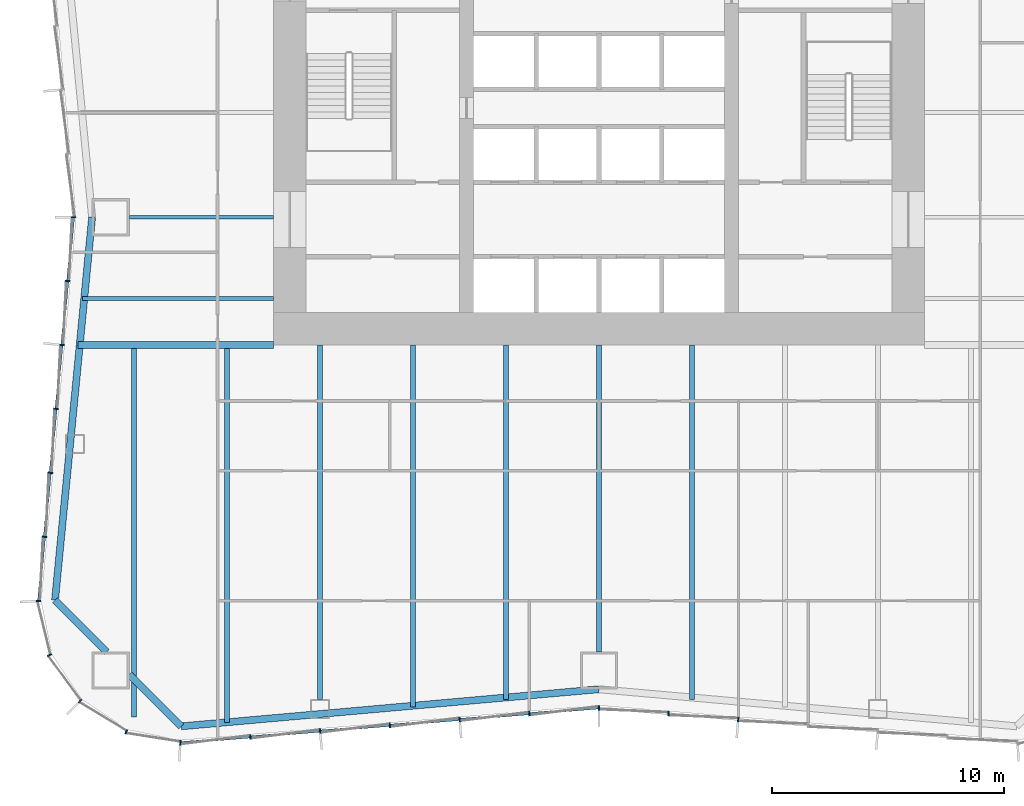
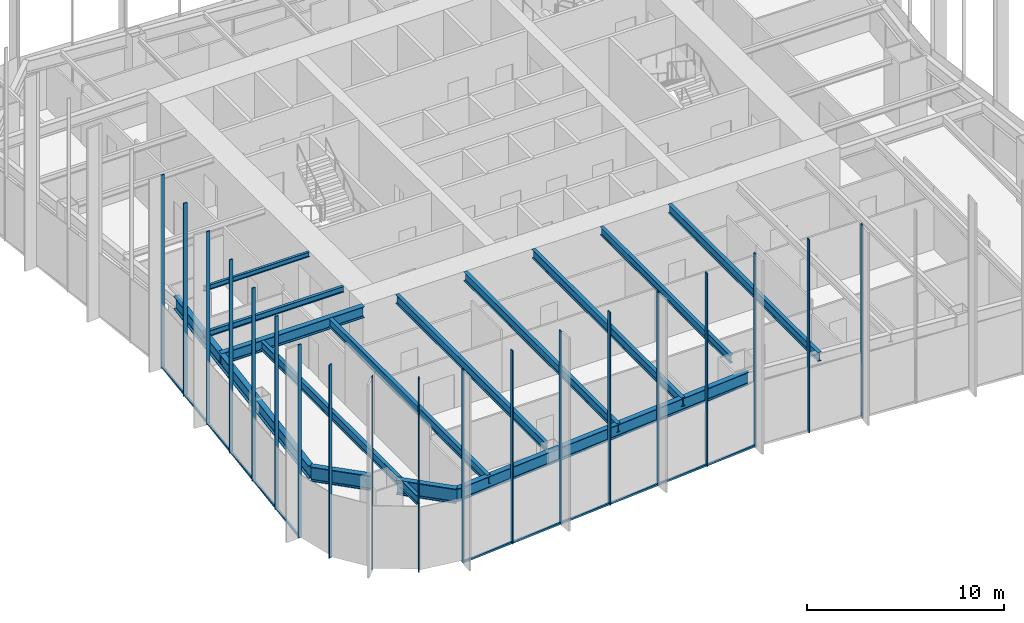
# One storey, part 2 of 13: 21 members, 14 beams, 3 elements without a shape of their own.
"""IFC4 building model written with IfcOpenShell, lengths in metres."""

from ifc_helpers import new_model, si_unit, direction, frame, origin, origin_2d, place, context, subcontext, project, spatial, rectangle, i_section, extrude, material, material_profile, profile_set, type_object, element, aggregate, save


model = new_model("IFC4")

# Units and contexts
model_context = context("Model", 3, precision=1e-05, world=origin(), true_north=direction((0.0, 1.0)))
body_context = subcontext(model_context, "Body", "Model", "MODEL_VIEW")
ifc_project = project(units=[si_unit("LENGTHUNIT", "METRE"), si_unit("AREAUNIT", "SQUARE_METRE"), si_unit("VOLUMEUNIT", "CUBIC_METRE"), si_unit("PLANEANGLEUNIT", "RADIAN"), si_unit("MASSUNIT", "GRAM", prefix="KILO")], contexts=[model_context])

# Site, building, storey
site_placement = place(None, origin())
site = spatial("IfcSite", under=ifc_project, at=site_placement, CompositionType="ELEMENT")
building_placement = place(site_placement, origin())
building = spatial("IfcBuilding", under=site, at=building_placement, Name="Verdant Reach Tower", CompositionType="ELEMENT")
storey_placement = place(building_placement, frame((0.0, 0.0, 14.0)))
storey = spatial("IfcBuildingStorey", under=building, at=storey_placement, Name="L02", CompositionType="ELEMENT", Elevation=14.0)

# Curtain wall, members
ifc_material_1 = material(Name="Anodised aluminium", Category="aluminium")
curtain_wall_type = type_object("IfcCurtainWallType", Name="EN-CW SYSTEM Z0", PredefinedType="NOTDEFINED", material=ifc_material_1)
curtain_wall_1_placement = place(storey_placement, origin())
curtain_wall_1 = element("IfcCurtainWall", 1, at=curtain_wall_1_placement, inside=storey, type_object=curtain_wall_type, Name="Curtain wall west, L02", PredefinedType="NOTDEFINED")
ifc_material_profile_1 = material_profile(ifc_material_1, rectangle(XDim=0.199951171875, YDim=0.06005859375, at=origin_2d()), Name="Mullion 60x200")
ifc_profile_set_1 = profile_set([ifc_material_profile_1], Name="Anodised aluminium")
member_type_1 = type_object("IfcMemberType", Name="EN-MULLION Z0", PredefinedType="MULLION", material=ifc_profile_set_1)
member_1_placement = place(storey_placement, frame((-22.60009765625, 22.5, -0.35009765625), z_axis=(0.0, 0.0, 1.0), x_axis=(-1.0, 0.0, 0.0)))
member_1 = element("IfcMember", 2, at=member_1_placement, type_object=member_type_1, Name="Mullion west face part 2 1, L02", PredefinedType="MULLION", context=body_context, shape_type="SweptSolid", body=[
    extrude(rectangle(XDim=0.199951171875, YDim=0.06005859375, at=origin_2d()), origin(), (0.0, 0.0, 1.0), 12.0),
])
member_2_placement = place(storey_placement, frame((-22.849609375, 19.759033203125, -0.35009765625), z_axis=(0.0, 0.0, 1.0), x_axis=(-0.995893206467, 0.090535746047, 0.0)))
member_2 = element("IfcMember", 3, at=member_2_placement, type_object=member_type_1, Name="Mullion west face part 2 2, L02", PredefinedType="MULLION", context=body_context, shape_type="SweptSolid", body=[
    extrude(rectangle(XDim=0.199951171875, YDim=0.06005859375, at=origin_2d()), origin(), (0.0, 0.0, 1.0), 12.0),
])
member_3_placement = place(storey_placement, frame((-23.099609375, 17.009033203125, -0.35009765625), z_axis=(0.0, 0.0, 1.0), x_axis=(-0.995893206467, 0.090535746047, 0.0)))
member_3 = element("IfcMember", 4, at=member_3_placement, type_object=member_type_1, Name="Mullion west face part 2 3, L02", PredefinedType="MULLION", context=body_context, shape_type="SweptSolid", body=[
    extrude(rectangle(XDim=0.199951171875, YDim=0.06005859375, at=origin_2d()), origin(), (0.0, 0.0, 1.0), 12.0),
])
member_4_placement = place(storey_placement, frame((-23.349609375, 14.259033203125, -0.35009765625), z_axis=(0.0, 0.0, 1.0), x_axis=(-0.995893206467, 0.090535746047, 0.0)))
member_4 = element("IfcMember", 5, at=member_4_placement, type_object=member_type_1, Name="Mullion west face part 2 4, L02", PredefinedType="MULLION", context=body_context, shape_type="SweptSolid", body=[
    extrude(rectangle(XDim=0.199951171875, YDim=0.06005859375, at=origin_2d()), origin(), (0.0, 0.0, 1.0), 12.0),
])
member_5_placement = place(storey_placement, frame((-23.599609375, 11.509033203125, -0.35009765625), z_axis=(0.0, 0.0, 1.0), x_axis=(-0.995893206467, 0.090535746047, 0.0)))
member_5 = element("IfcMember", 6, at=member_5_placement, type_object=member_type_1, Name="Mullion west face part 2 5, L02", PredefinedType="MULLION", context=body_context, shape_type="SweptSolid", body=[
    extrude(rectangle(XDim=0.199951171875, YDim=0.06005859375, at=origin_2d()), origin(), (0.0, 0.0, 1.0), 12.0),
])
member_6_placement = place(storey_placement, frame((-23.849609375, 8.759033203125, -0.35009765625), z_axis=(0.0, 0.0, 1.0), x_axis=(-0.995893206467, 0.090535746047, 0.0)))
member_6 = element("IfcMember", 7, at=member_6_placement, type_object=member_type_1, Name="Mullion west face part 2 6, L02", PredefinedType="MULLION", context=body_context, shape_type="SweptSolid", body=[
    extrude(rectangle(XDim=0.199951171875, YDim=0.06005859375, at=origin_2d()), origin(), (0.0, 0.0, 1.0), 12.0),
])

curtain_wall_2_placement = place(storey_placement, origin())
curtain_wall_2 = element("IfcCurtainWall", 8, at=curtain_wall_2_placement, inside=storey, type_object=curtain_wall_type, Name="Curtain wall south-west corner, L02", PredefinedType="NOTDEFINED")
member_7_placement = place(storey_placement, frame((-24.099853515625, 5.99462890625, -0.35009765625), z_axis=(0.0, 0.0, 1.0), x_axis=(-0.998604288049, -0.052815489107, 0.0)))
member_7 = element("IfcMember", 9, at=member_7_placement, type_object=member_type_1, Name="Mullion south-west corner 1, L02", PredefinedType="MULLION", context=body_context, shape_type="SweptSolid", body=[
    extrude(rectangle(XDim=0.199951171875, YDim=0.06005859375, at=origin_2d()), origin(), (0.0, 0.0, 1.0), 12.0),
])
member_8_placement = place(storey_placement, frame((-23.6357421875, 3.66552734375, -0.35009765625), z_axis=(0.0, 0.0, 1.0), x_axis=(-0.923875215753, -0.382693853776, 0.0)))
member_8 = element("IfcMember", 10, at=member_8_placement, type_object=member_type_1, Name="Mullion south-west corner 2, L02", PredefinedType="MULLION", context=body_context, shape_type="SweptSolid", body=[
    extrude(rectangle(XDim=0.199951171875, YDim=0.06005859375, at=origin_2d()), origin(), (0.0, 0.0, 1.0), 12.0),
])
member_9_placement = place(storey_placement, frame((-22.313232421875, 1.686767578125, -0.35009765625), z_axis=(0.0, 0.0, 1.0), x_axis=(-0.707106781187, -0.707106781187, 0.0)))
member_9 = element("IfcMember", 11, at=member_9_placement, type_object=member_type_1, Name="Mullion south-west corner 3, L02", PredefinedType="MULLION", context=body_context, shape_type="SweptSolid", body=[
    extrude(rectangle(XDim=0.199951171875, YDim=0.06005859375, at=origin_2d()), origin(), (0.0, 0.0, 1.0), 12.0),
])
member_10_placement = place(storey_placement, frame((-20.33447265625, 0.3642578125, -0.35009765625), z_axis=(0.0, 0.0, 1.0), x_axis=(-0.382693853776, -0.923875215753, 0.0)))
member_10 = element("IfcMember", 12, at=member_10_placement, type_object=member_type_1, Name="Mullion south-west corner 4, L02", PredefinedType="MULLION", context=body_context, shape_type="SweptSolid", body=[
    extrude(rectangle(XDim=0.199951171875, YDim=0.06005859375, at=origin_2d()), origin(), (0.0, 0.0, 1.0), 12.0),
])
aggregate(curtain_wall_2, [member_7, member_8, member_9, member_10])

curtain_wall_3_placement = place(storey_placement, origin())
curtain_wall_3 = element("IfcCurtainWall", 13, at=curtain_wall_3_placement, inside=storey, type_object=curtain_wall_type, Name="Curtain wall south, L02", PredefinedType="NOTDEFINED")
member_11_placement = place(storey_placement, frame((-18.005615234375, -0.099853515625, -0.35009765625), z_axis=(0.0, 0.0, 1.0), x_axis=(-0.056569187765, -0.998398681387, 0.0)))
member_11 = element("IfcMember", 14, at=member_11_placement, type_object=member_type_1, Name="Mullion south face part 1 1, L02", PredefinedType="MULLION", context=body_context, shape_type="SweptSolid", body=[
    extrude(rectangle(XDim=0.199951171875, YDim=0.06005859375, at=origin_2d()), origin(), (0.0, 0.0, 1.0), 12.0),
])
member_12_placement = place(storey_placement, frame((-14.99169921875, 0.150390625, -0.35009765625), z_axis=(0.0, 0.0, 1.0), x_axis=(0.083045479859, -0.996545758244, 0.0)))
member_12 = element("IfcMember", 15, at=member_12_placement, type_object=member_type_1, Name="Mullion south face part 1 2, L02", PredefinedType="MULLION", context=body_context, shape_type="SweptSolid", body=[
    extrude(rectangle(XDim=0.199951171875, YDim=0.06005859375, at=origin_2d()), origin(), (0.0, 0.0, 1.0), 12.0),
])
member_13_placement = place(storey_placement, frame((-11.99169921875, 0.400390625, -0.35009765625), z_axis=(0.0, 0.0, 1.0), x_axis=(0.083045479859, -0.996545758244, 0.0)))
member_13 = element("IfcMember", 16, at=member_13_placement, type_object=member_type_1, Name="Mullion south face part 1 3, L02", PredefinedType="MULLION", context=body_context, shape_type="SweptSolid", body=[
    extrude(rectangle(XDim=0.199951171875, YDim=0.06005859375, at=origin_2d()), origin(), (0.0, 0.0, 1.0), 12.0),
])
member_14_placement = place(storey_placement, frame((-8.99169921875, 0.650390625, -0.35009765625), z_axis=(0.0, 0.0, 1.0), x_axis=(0.083045479859, -0.996545758244, 0.0)))
member_14 = element("IfcMember", 17, at=member_14_placement, type_object=member_type_1, Name="Mullion south face part 1 4, L02", PredefinedType="MULLION", context=body_context, shape_type="SweptSolid", body=[
    extrude(rectangle(XDim=0.199951171875, YDim=0.06005859375, at=origin_2d()), origin(), (0.0, 0.0, 1.0), 12.0),
])
member_15_placement = place(storey_placement, frame((-5.99169921875, 0.900390625, -0.35009765625), z_axis=(0.0, 0.0, 1.0), x_axis=(0.083045479859, -0.996545758244, 0.0)))
member_15 = element("IfcMember", 18, at=member_15_placement, type_object=member_type_1, Name="Mullion south face part 1 5, L02", PredefinedType="MULLION", context=body_context, shape_type="SweptSolid", body=[
    extrude(rectangle(XDim=0.199951171875, YDim=0.06005859375, at=origin_2d()), origin(), (0.0, 0.0, 1.0), 12.0),
])
member_16_placement = place(storey_placement, frame((-2.99169921875, 1.150390625, -0.35009765625), z_axis=(0.0, 0.0, 1.0), x_axis=(0.083045479859, -0.996545758244, 0.0)))
member_16 = element("IfcMember", 19, at=member_16_placement, type_object=member_type_1, Name="Mullion south face part 1 6, L02", PredefinedType="MULLION", context=body_context, shape_type="SweptSolid", body=[
    extrude(rectangle(XDim=0.199951171875, YDim=0.06005859375, at=origin_2d()), origin(), (0.0, 0.0, 1.0), 12.0),
])
member_17_placement = place(storey_placement, frame((0.0, 1.39990234375, -0.35009765625), z_axis=(0.0, 0.0, 1.0), x_axis=(0.0, -1.0, 0.0)))
member_17 = element("IfcMember", 20, at=member_17_placement, type_object=member_type_1, Name="Mullion south face part 2 1, L02", PredefinedType="MULLION", context=body_context, shape_type="SweptSolid", body=[
    extrude(rectangle(XDim=0.199951171875, YDim=0.06005859375, at=origin_2d()), origin(), (0.0, 0.0, 1.0), 12.0),
])
member_18_placement = place(storey_placement, frame((2.99169921875, 1.150390625, -0.35009765625), z_axis=(0.0, 0.0, 1.0), x_axis=(-0.083045479859, -0.996545758244, 0.0)))
member_18 = element("IfcMember", 21, at=member_18_placement, type_object=member_type_1, Name="Mullion south face part 2 2, L02", PredefinedType="MULLION", context=body_context, shape_type="SweptSolid", body=[
    extrude(rectangle(XDim=0.199951171875, YDim=0.06005859375, at=origin_2d()), origin(), (0.0, 0.0, 1.0), 12.0),
])
member_19_placement = place(storey_placement, frame((5.99169921875, 0.900390625, -0.35009765625), z_axis=(0.0, 0.0, 1.0), x_axis=(-0.083045479859, -0.996545758244, 0.0)))
member_19 = element("IfcMember", 22, at=member_19_placement, type_object=member_type_1, Name="Mullion south face part 2 3, L02", PredefinedType="MULLION", context=body_context, shape_type="SweptSolid", body=[
    extrude(rectangle(XDim=0.199951171875, YDim=0.06005859375, at=origin_2d()), origin(), (0.0, 0.0, 1.0), 12.0),
])

# Member
ifc_material_profile_2 = material_profile(ifc_material_1, rectangle(XDim=0.10009765625, YDim=0.1201171875, at=origin_2d()), Name="Transom 120x100")
ifc_profile_set_2 = profile_set([ifc_material_profile_2], Name="Anodised aluminium")
member_type_2 = type_object("IfcMemberType", Name="EN-TRANSOM Z0", PredefinedType="USERDEFINED", material=ifc_profile_set_2)
member_20_placement = place(storey_placement, frame((-22.602783203125, 22.47021484375, -0.2900390625), z_axis=(-0.090495755184, -0.995896841191, 0.0), x_axis=(0.995896841191, -0.090495755184, 0.0)))
member_20 = element("IfcMember", 23, at=member_20_placement, type_object=member_type_2, Name="Transom west face part 2 1.1, L02", ObjectType="TRANSOM", PredefinedType="USERDEFINED", context=body_context, shape_type="SweptSolid", body=[
    extrude(rectangle(XDim=0.10009765625, YDim=0.1201171875, at=origin_2d()), origin(), (0.0, 0.0, 1.0), 16.513427734375),
])

aggregate(curtain_wall_1, [member_1, member_2, member_3, member_4, member_5, member_6, member_20])

member_21_placement = place(storey_placement, frame((-17.975830078125, -0.097412109375, -0.2900390625), z_axis=(0.996548656072, 0.083010698588, 0.0), x_axis=(-0.083010698588, 0.996548656072, 0.0)))
member_21 = element("IfcMember", 24, at=member_21_placement, type_object=member_type_2, Name="Transom south face part 1 1.1, L02", ObjectType="TRANSOM", PredefinedType="USERDEFINED", context=body_context, shape_type="SweptSolid", body=[
    extrude(rectangle(XDim=0.10009765625, YDim=0.1201171875, at=origin_2d()), origin(), (0.0, 0.0, 1.0), 18.00830078125),
])

aggregate(curtain_wall_3, [member_11, member_12, member_13, member_14, member_15, member_16, member_21, member_17, member_18, member_19])

# Beams
ifc_material_2 = material(Name="Steel S355", Category="steel")
ifc_material_profile_3 = material_profile(ifc_material_2, i_section(OverallWidth=0.300048828125, OverallDepth=0.699951171875, WebThickness=0.01708984375, FlangeThickness=0.031982421875, FilletRadius=0.027099609375, at=origin_2d()), Name="HEB 700")
ifc_profile_set_3 = profile_set([ifc_material_profile_3], Name="Steel S355")
beam_type_1 = type_object("IfcBeamType", Name="ST-BEAM-HEB700", PredefinedType="BEAM", material=ifc_profile_set_3)
beam_1_placement = place(storey_placement, frame((-14.0, 17.0, 3.52001953125), z_axis=(-1.0, 0.0, 0.0), x_axis=(0.0, -1.0, 0.0)))
element("IfcBeam", 25, at=beam_1_placement, inside=storey, type_object=beam_type_1, Name="Trimmer beam, L02", PredefinedType="BEAM", context=body_context, shape_type="SweptSolid", body=[
    extrude(i_section(OverallWidth=0.300048828125, OverallDepth=0.699951171875, WebThickness=0.01708984375, FlangeThickness=0.031982421875, FilletRadius=0.027099609375, at=origin_2d()), origin(), (0.0, 0.0, 1.0), 8.3974609375),
])
ifc_material_profile_4 = material_profile(ifc_material_2, i_section(OverallWidth=0.14990234375, OverallDepth=0.300048828125, WebThickness=0.007080078125, FlangeThickness=0.0107421875, FilletRadius=0.014892578125, at=origin_2d()), Name="IPE 300")
ifc_profile_set_4 = profile_set([ifc_material_profile_4], Name="Steel S355")
beam_type_2 = type_object("IfcBeamType", Name="ST-JOIST-IPE300", PredefinedType="JOIST", material=ifc_profile_set_4)
beam_2_placement = place(storey_placement, frame((-14.0, 22.5, 3.719970703125), z_axis=(-1.0, 0.0, 0.0), x_axis=(0.0, -1.0, 0.0)))
element("IfcBeam", 26, at=beam_2_placement, inside=storey, type_object=beam_type_2, Name="Floor joist, L02", PredefinedType="JOIST", context=body_context, shape_type="SweptSolid", body=[
    extrude(i_section(OverallWidth=0.14990234375, OverallDepth=0.300048828125, WebThickness=0.007080078125, FlangeThickness=0.0107421875, FilletRadius=0.014892578125, at=origin_2d()), origin(), (0.0, 0.0, 1.0), 6.199951171875),
])
ifc_material_profile_5 = material_profile(ifc_material_2, i_section(OverallWidth=0.169921875, OverallDepth=0.360107421875, WebThickness=0.008056640625, FlangeThickness=0.0126953125, FilletRadius=0.01806640625, at=origin_2d()), Name="IPE 360")
ifc_profile_set_5 = profile_set([ifc_material_profile_5], Name="Steel S355")
beam_type_3 = type_object("IfcBeamType", Name="ST-JOIST-IPE360", PredefinedType="JOIST", material=ifc_profile_set_5)
beam_3_placement = place(storey_placement, frame((-14.0, 19.0, 3.68994140625), z_axis=(-1.0, 0.0, 0.0), x_axis=(0.0, -1.0, 0.0)))
element("IfcBeam", 27, at=beam_3_placement, inside=storey, type_object=beam_type_3, Name="Floor joist, L02", PredefinedType="JOIST", context=body_context, shape_type="SweptSolid", body=[
    extrude(i_section(OverallWidth=0.169921875, OverallDepth=0.360107421875, WebThickness=0.008056640625, FlangeThickness=0.0126953125, FilletRadius=0.01806640625, at=origin_2d()), origin(), (0.0, 0.0, 1.0), 8.2158203125),
])
ifc_material_profile_6 = material_profile(ifc_material_2, i_section(OverallWidth=0.199951171875, OverallDepth=0.5, WebThickness=0.01025390625, FlangeThickness=0.01611328125, FilletRadius=0.02099609375, at=origin_2d()), Name="IPE 500")
ifc_profile_set_6 = profile_set([ifc_material_profile_6], Name="Steel S355")
beam_type_4 = type_object("IfcBeamType", Name="ST-JOIST-IPE500", PredefinedType="JOIST", material=ifc_profile_set_6)
beam_4_placement = place(storey_placement, frame((0.0, 17.0, 3.6201171875), z_axis=(0.0, -1.0, 0.0), x_axis=(1.0, 0.0, 0.0)))
element("IfcBeam", 28, at=beam_4_placement, inside=storey, type_object=beam_type_4, Name="Floor joist, L02", PredefinedType="JOIST", context=body_context, shape_type="SweptSolid", body=[
    extrude(i_section(OverallWidth=0.199951171875, OverallDepth=0.5, WebThickness=0.01025390625, FlangeThickness=0.01611328125, FilletRadius=0.02099609375, at=origin_2d()), origin(), (0.0, 0.0, 1.0), 13.199951171875),
])
ifc_material_profile_7 = material_profile(ifc_material_2, i_section(OverallWidth=0.2099609375, OverallDepth=0.550048828125, WebThickness=0.010986328125, FlangeThickness=0.01708984375, FilletRadius=0.02392578125, at=origin_2d()), Name="IPE 550")
ifc_profile_set_7 = profile_set([ifc_material_profile_7], Name="Steel S355")
beam_type_5 = type_object("IfcBeamType", Name="ST-JOIST-IPE550", PredefinedType="JOIST", material=ifc_profile_set_7)
beam_5_placement = place(storey_placement, frame((-20.0, 16.89990234375, 3.594970703125), z_axis=(0.0, -1.0, 0.0), x_axis=(1.0, 0.0, 0.0)))
element("IfcBeam", 29, at=beam_5_placement, inside=storey, type_object=beam_type_5, Name="Floor joist, L02", PredefinedType="JOIST", context=body_context, shape_type="SweptSolid", body=[
    extrude(i_section(OverallWidth=0.2099609375, OverallDepth=0.550048828125, WebThickness=0.010986328125, FlangeThickness=0.01708984375, FilletRadius=0.02392578125, at=origin_2d()), origin(), (0.0, 0.0, 1.0), 15.890380859375),
])
beam_6_placement = place(storey_placement, frame((-16.0, 16.89990234375, 3.594970703125), z_axis=(0.0, -1.0, 0.0), x_axis=(1.0, 0.0, 0.0)))
element("IfcBeam", 30, at=beam_6_placement, inside=storey, type_object=beam_type_5, Name="Floor joist, L02", PredefinedType="JOIST", context=body_context, shape_type="SweptSolid", body=[
    extrude(i_section(OverallWidth=0.2099609375, OverallDepth=0.550048828125, WebThickness=0.010986328125, FlangeThickness=0.01708984375, FilletRadius=0.02392578125, at=origin_2d()), origin(), (0.0, 0.0, 1.0), 16.131103515625),
])
beam_7_placement = place(storey_placement, frame((-12.0, 17.0, 3.594970703125), z_axis=(0.0, -1.0, 0.0), x_axis=(1.0, 0.0, 0.0)))
element("IfcBeam", 31, at=beam_7_placement, inside=storey, type_object=beam_type_5, Name="Floor joist, L02", PredefinedType="JOIST", context=body_context, shape_type="SweptSolid", body=[
    extrude(i_section(OverallWidth=0.2099609375, OverallDepth=0.550048828125, WebThickness=0.010986328125, FlangeThickness=0.01708984375, FilletRadius=0.02392578125, at=origin_2d()), origin(), (0.0, 0.0, 1.0), 15.25),
])
beam_8_placement = place(storey_placement, frame((-8.0, 17.0, 3.594970703125), z_axis=(0.0, -1.0, 0.0), x_axis=(1.0, 0.0, 0.0)))
element("IfcBeam", 32, at=beam_8_placement, inside=storey, type_object=beam_type_5, Name="Floor joist, L02", PredefinedType="JOIST", context=body_context, shape_type="SweptSolid", body=[
    extrude(i_section(OverallWidth=0.2099609375, OverallDepth=0.550048828125, WebThickness=0.010986328125, FlangeThickness=0.01708984375, FilletRadius=0.02392578125, at=origin_2d()), origin(), (0.0, 0.0, 1.0), 15.564697265625),
])
for number, where, z_axis, x_axis, name in (
    (33, (-4.0, 17.0, 3.594970703125), (0.0, -1.0, 0.0), (1.0, 0.0, 0.0), "Floor joist, L02"),
    (34, (4.0, 17.0, 3.594970703125), (0.0, -1.0, 0.0), (1.0, 0.0, 0.0), "Floor joist, L02"),
):
    element("IfcBeam", number, at=place(storey_placement, frame(where, z_axis=z_axis, x_axis=x_axis)), inside=storey, type_object=beam_type_5, Name=name, PredefinedType="JOIST", context=body_context, shape_type="SweptSolid", body=[
        extrude(i_section(OverallWidth=0.2099609375, OverallDepth=0.550048828125, WebThickness=0.010986328125, FlangeThickness=0.01708984375, FilletRadius=0.02392578125, at=origin_2d()), origin(), (0.0, 0.0, 1.0), 15.231201171875),
    ])
ifc_material_profile_8 = material_profile(ifc_material_2, i_section(OverallWidth=0.300048828125, OverallDepth=0.800048828125, WebThickness=0.017578125, FlangeThickness=0.032958984375, FilletRadius=0.030029296875, at=origin_2d()), Name="HEB 800")
ifc_profile_set_8 = profile_set([ifc_material_profile_8], Name="Steel S355")
beam_type_6 = type_object("IfcBeamType", Name="ST-SPANDREL-HEB800", PredefinedType="SPANDREL", material=ifc_profile_set_8)
beam_9_placement = place(storey_placement, frame((0.0, 2.199951171875, 3.469970703125), z_axis=(-0.996082370463, -0.088430262084, 0.0), x_axis=(0.088430262084, -0.996082370463, 0.0)))
element("IfcBeam", 35, at=beam_9_placement, inside=storey, type_object=beam_type_6, Name="Edge beam, L02", PredefinedType="SPANDREL", context=body_context, shape_type="SweptSolid", body=[
    extrude(i_section(OverallWidth=0.300048828125, OverallDepth=0.800048828125, WebThickness=0.017578125, FlangeThickness=0.032958984375, FilletRadius=0.030029296875, at=origin_2d()), origin(), (0.0, 0.0, 1.0), 18.036376953125),
])
beam_10_placement = place(storey_placement, frame((-23.39453125, 6.031982421875, 3.469970703125), z_axis=(0.096372296695, 0.995345357366, 0.0), x_axis=(-0.995345357366, 0.096372296695, 0.0)))
element("IfcBeam", 36, at=beam_10_placement, inside=storey, type_object=beam_type_6, Name="Edge beam, L02", PredefinedType="SPANDREL", context=body_context, shape_type="SweptSolid", body=[
    extrude(i_section(OverallWidth=0.300048828125, OverallDepth=0.800048828125, WebThickness=0.017578125, FlangeThickness=0.032958984375, FilletRadius=0.030029296875, at=origin_2d()), origin(), (0.0, 0.0, 1.0), 16.544921875),
])
ifc_material_profile_9 = material_profile(ifc_material_2, i_section(OverallWidth=0.302001953125, OverallDepth=0.909912109375, WebThickness=0.02099609375, FlangeThickness=0.0400390625, FilletRadius=0.030029296875, at=origin_2d()), Name="HEM 900")
ifc_profile_set_9 = profile_set([ifc_material_profile_9], Name="Steel S355")
beam_type_7 = type_object("IfcBeamType", Name="ST-SPANDREL-HEM900", PredefinedType="SPANDREL", material=ifc_profile_set_9)
beam_11_placement = place(storey_placement, frame((-17.9658203125, 0.60498046875, 3.4150390625), z_axis=(-0.707222697162, 0.706990846206, 0.0), x_axis=(-0.706990846206, -0.707222697162, 0.0)))
element("IfcBeam", 37, at=beam_11_placement, inside=storey, type_object=beam_type_7, Name="Edge beam, L02", PredefinedType="SPANDREL", context=body_context, shape_type="SweptSolid", body=[
    extrude(i_section(OverallWidth=0.302001953125, OverallDepth=0.909912109375, WebThickness=0.02099609375, FlangeThickness=0.0400390625, FilletRadius=0.030029296875, at=origin_2d()), origin(), (0.0, 0.0, 1.0), 3.158935546875),
])
beam_12_placement = place(storey_placement, frame((-21.161865234375, 3.800048828125, 3.4150390625), z_axis=(-0.70722277322, 0.706990770123, 0.0), x_axis=(-0.706990770123, -0.70722277322, 0.0)))
element("IfcBeam", 38, at=beam_12_placement, inside=storey, type_object=beam_type_7, Name="Edge beam, L02", PredefinedType="SPANDREL", context=body_context, shape_type="SweptSolid", body=[
    extrude(i_section(OverallWidth=0.302001953125, OverallDepth=0.909912109375, WebThickness=0.02099609375, FlangeThickness=0.0400390625, FilletRadius=0.030029296875, at=origin_2d()), origin(), (0.0, 0.0, 1.0), 3.156982421875),
])

save(model, "model.ifc")
